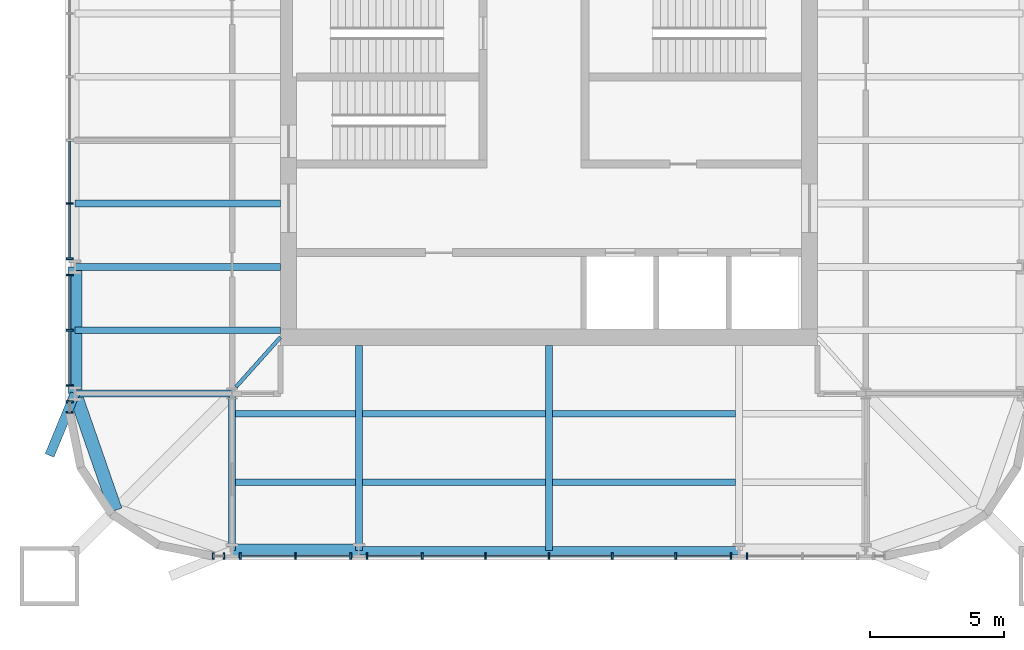
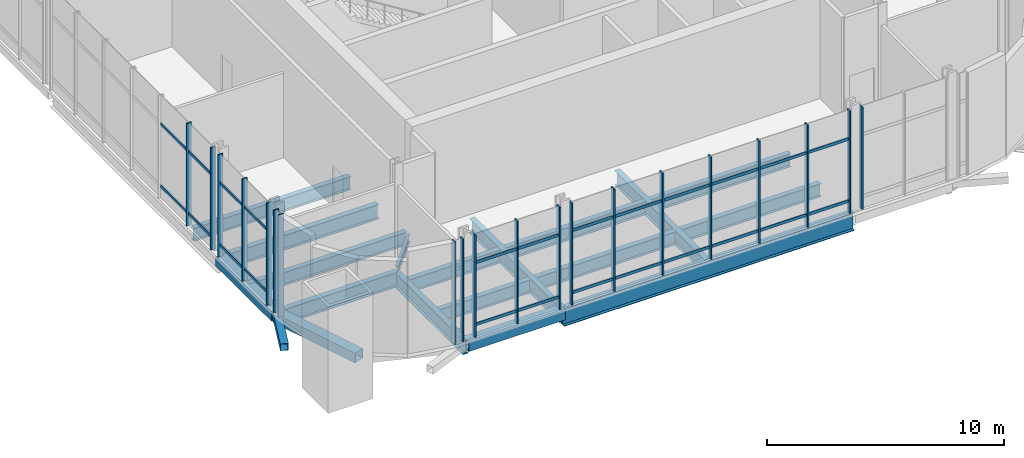
# One storey, part 2 of 17: 44 members, 19 beams, 7 elements without a shape of their own.
"""IFC4 building model written with IfcOpenShell, lengths in metres."""

from ifc_helpers import new_model, si_unit, direction, frame, origin, origin_2d, place, context, subcontext, project, spatial, rectangle, hollow_rectangle, i_section, extrude, material, material_profile, profile_set, type_object, element, aggregate, save


model = new_model("IFC4")

# Units and contexts
model_context = context("Model", 3, precision=1e-05, world=origin(), true_north=direction((0.0, 1.0)))
body_context = subcontext(model_context, "Body", "Model", "MODEL_VIEW")
ifc_project = project(units=[si_unit("LENGTHUNIT", "METRE"), si_unit("AREAUNIT", "SQUARE_METRE"), si_unit("VOLUMEUNIT", "CUBIC_METRE"), si_unit("PLANEANGLEUNIT", "RADIAN"), si_unit("MASSUNIT", "GRAM", prefix="KILO")], contexts=[model_context])

# Site, building, storey
site_placement = place(None, origin())
site = spatial("IfcSite", under=ifc_project, at=site_placement, CompositionType="ELEMENT")
building_placement = place(site_placement, origin())
building = spatial("IfcBuilding", under=site, at=building_placement, Name="Turquesa Mirador Hotel Tower", CompositionType="ELEMENT")
storey_placement = place(building_placement, frame((0.0, 0.0, 266.699951171875)))
storey = spatial("IfcBuildingStorey", under=building, at=storey_placement, Name="L72", CompositionType="ELEMENT", Elevation=266.699951171875)

# Beams
ifc_material_1 = material(Name="Steel ASTM A572 Grade 50", Category="steel")
ifc_material_profile_1 = material_profile(ifc_material_1, hollow_rectangle(XDim=0.5, YDim=0.5, WallThickness=0.01611328125, at=origin_2d()), Name="BOX500X500X16")
ifc_profile_set_1 = profile_set([ifc_material_profile_1], Name="Steel ASTM A572 Grade 50")
beam_type_1 = type_object("IfcBeamType", Name="BEAM BOX500X500X16", PredefinedType="BEAM", material=ifc_profile_set_1)
for number, where, z_axis, x_axis, name in (
    (1, (43.199951171875, 27.35009765625, -0.419921875), (1.0, 0.0, 0.0), (0.0, 1.0, 0.0), "EB-L72-S-L"),
    (2, (37.35009765625, 33.199951171875, -0.419921875), (0.0, 1.0, 0.0), (-1.0, 0.0, 0.0), "EB-L72-W-L"),
):
    element("IfcBeam", number, at=place(storey_placement, frame(where, z_axis=z_axis, x_axis=x_axis)), inside=storey, type_object=beam_type_1, Name=name, PredefinedType="BEAM", context=body_context, shape_type="SweptSolid", body=[
        extrude(hollow_rectangle(XDim=0.5, YDim=0.5, WallThickness=0.01611328125, at=origin_2d()), origin(), (0.0, 0.0, 1.0), 4.719970703125),
    ])
beam_1_placement = place(storey_placement, frame((37.35009765625, 33.199951171875, -0.419921875), z_axis=(0.328170356092, -0.944618556552, 0.0), x_axis=(0.944618556552, 0.328170356092, 0.0)))
element("IfcBeam", 3, at=beam_1_placement, inside=storey, type_object=beam_type_1, Name="KE-L72-3-0", PredefinedType="BEAM", context=body_context, shape_type="SweptSolid", body=[
    extrude(hollow_rectangle(XDim=0.5, YDim=0.5, WallThickness=0.01611328125, at=origin_2d()), origin(), (0.0, 0.0, 1.0), 4.59619140625),
])
ifc_material_2 = material(Name="Steel ASTM A992 Grade 50", Category="steel")
ifc_material_profile_2 = material_profile(ifc_material_2, i_section(OverallWidth=0.140380859375, OverallDepth=0.40380859375, WebThickness=0.007080078125, FlangeThickness=0.01123046875, at=origin_2d()), Name="W16X31")
ifc_profile_set_2 = profile_set([ifc_material_profile_2], Name="Steel ASTM A992 Grade 50")
beam_type_2 = type_object("IfcBeamType", Name="BEAM W16X31", PredefinedType="BEAM", material=ifc_profile_set_2)
beam_2_placement = place(storey_placement, frame((43.343505859375, 33.44873046875, -0.371826171875), z_axis=(0.666806350186, 0.745231032198, 0.0), x_axis=(-0.745231032198, 0.666806350186, 0.0)))
element("IfcBeam", 4, at=beam_2_placement, inside=storey, type_object=beam_type_2, Name="KT-L72-3", PredefinedType="BEAM", context=body_context, shape_type="SweptSolid", body=[
    extrude(i_section(OverallWidth=0.140380859375, OverallDepth=0.40380859375, WebThickness=0.007080078125, FlangeThickness=0.01123046875, at=origin_2d()), origin(), (0.0, 0.0, 1.0), 2.484130859375),
])
ifc_material_3 = material(Name="Steel ASTM A992 Grade 50", Category="steel")
ifc_material_profile_3 = material_profile(ifc_material_3, i_section(OverallWidth=0.25390625, OverallDepth=0.683349609375, WebThickness=0.012451171875, FlangeThickness=0.018798828125, at=origin_2d()), Name="W27X94")
ifc_profile_set_3 = profile_set([ifc_material_profile_3], Name="Steel ASTM A992 Grade 50")
beam_type_3 = type_object("IfcBeamType", Name="BEAM W27X94", PredefinedType="BEAM", material=ifc_profile_set_3)
beam_3_placement = place(storey_placement, frame((43.333251953125, 32.449951171875, -0.511474609375), z_axis=(1.0, 0.0, 0.0), x_axis=(0.0, 1.0, 0.0)))
element("IfcBeam", 5, at=beam_3_placement, inside=storey, type_object=beam_type_3, Name="IB-L72-S-1-0", PredefinedType="BEAM", context=body_context, shape_type="SweptSolid", body=[
    extrude(i_section(OverallWidth=0.25390625, OverallDepth=0.683349609375, WebThickness=0.012451171875, FlangeThickness=0.018798828125, at=origin_2d()), origin(), (0.0, 0.0, 1.0), 4.453369140625),
])
for number, where, z_axis, x_axis, name in (
    (6, (48.053466796875, 32.449951171875, -0.511474609375), (1.0, 0.0, 0.0), (0.0, 1.0, 0.0), "IB-L72-S-1-1"),
    (7, (55.13330078125, 32.449951171875, -0.511474609375), (1.0, 0.0, 0.0), (0.0, 1.0, 0.0), "IB-L72-S-1-2"),
):
    element("IfcBeam", number, at=place(storey_placement, frame(where, z_axis=z_axis, x_axis=x_axis)), inside=storey, type_object=beam_type_3, Name=name, PredefinedType="BEAM", context=body_context, shape_type="SweptSolid", body=[
        extrude(i_section(OverallWidth=0.25390625, OverallDepth=0.683349609375, WebThickness=0.012451171875, FlangeThickness=0.018798828125, at=origin_2d()), origin(), (0.0, 0.0, 1.0), 6.813232421875),
    ])
beam_4_placement = place(storey_placement, frame((43.333251953125, 29.89990234375, -0.511474609375), z_axis=(1.0, 0.0, 0.0), x_axis=(0.0, 1.0, 0.0)))
element("IfcBeam", 8, at=beam_4_placement, inside=storey, type_object=beam_type_3, Name="IB-L72-S-2-0", PredefinedType="BEAM", context=body_context, shape_type="SweptSolid", body=[
    extrude(i_section(OverallWidth=0.25390625, OverallDepth=0.683349609375, WebThickness=0.012451171875, FlangeThickness=0.018798828125, at=origin_2d()), origin(), (0.0, 0.0, 1.0), 4.453369140625),
])
for number, where, z_axis, x_axis, name in (
    (9, (48.053466796875, 29.89990234375, -0.511474609375), (1.0, 0.0, 0.0), (0.0, 1.0, 0.0), "IB-L72-S-2-1"),
    (10, (55.13330078125, 29.89990234375, -0.511474609375), (1.0, 0.0, 0.0), (0.0, 1.0, 0.0), "IB-L72-S-2-2"),
):
    element("IfcBeam", number, at=place(storey_placement, frame(where, z_axis=z_axis, x_axis=x_axis)), inside=storey, type_object=beam_type_3, Name=name, PredefinedType="BEAM", context=body_context, shape_type="SweptSolid", body=[
        extrude(i_section(OverallWidth=0.25390625, OverallDepth=0.683349609375, WebThickness=0.012451171875, FlangeThickness=0.018798828125, at=origin_2d()), origin(), (0.0, 0.0, 1.0), 6.813232421875),
    ])
for number, where, z_axis, x_axis, name in (
    (11, (37.35009765625, 35.56005859375, -0.511474609375), (1.0, 0.0, 0.0), (0.0, 1.0, 0.0), "BM-L72-W--9.44"),
    (12, (37.35009765625, 40.280029296875, -0.511474609375), (1.0, 0.0, 0.0), (0.0, 1.0, 0.0), "BM-L72-W--4.72"),
):
    element("IfcBeam", number, at=place(storey_placement, frame(where, z_axis=z_axis, x_axis=x_axis)), inside=storey, type_object=beam_type_3, Name=name, PredefinedType="BEAM", context=body_context, shape_type="SweptSolid", body=[
        extrude(i_section(OverallWidth=0.25390625, OverallDepth=0.683349609375, WebThickness=0.012451171875, FlangeThickness=0.018798828125, at=origin_2d()), origin(), (0.0, 0.0, 1.0), 7.64990234375),
    ])
ifc_material_4 = material(Name="Steel ASTM A992 Grade 50", Category="steel")
ifc_material_profile_4 = material_profile(ifc_material_4, i_section(OverallWidth=0.2666015625, OverallDepth=0.761962890625, WebThickness=0.014404296875, FlangeThickness=0.021484375, at=origin_2d()), Name="W30X116")
ifc_profile_set_4 = profile_set([ifc_material_profile_4], Name="Steel ASTM A992 Grade 50")
beam_type_4 = type_object("IfcBeamType", Name="BEAM W30X116", PredefinedType="BEAM", material=ifc_profile_set_4)
for number, where, z_axis, x_axis, name in (
    (13, (47.919921875, 27.35009765625, -0.551025390625), (0.0, 1.0, 0.0), (-1.0, 0.0, 0.0), "GD-L72-S--7.08"),
    (14, (55.0, 27.35009765625, -0.551025390625), (0.0, 1.0, 0.0), (-1.0, 0.0, 0.0), "GD-L72-S-+0.00"),
):
    element("IfcBeam", number, at=place(storey_placement, frame(where, z_axis=z_axis, x_axis=x_axis)), inside=storey, type_object=beam_type_4, Name=name, PredefinedType="BEAM", context=body_context, shape_type="SweptSolid", body=[
        extrude(i_section(OverallWidth=0.2666015625, OverallDepth=0.761962890625, WebThickness=0.014404296875, FlangeThickness=0.021484375, at=origin_2d()), origin(), (0.0, 0.0, 1.0), 7.64990234375),
    ])
beam_5_placement = place(storey_placement, frame((43.199951171875, 27.35009765625, -0.551025390625), z_axis=(0.0, 1.0, 0.0), x_axis=(-1.0, 0.0, 0.0)))
element("IfcBeam", 15, at=beam_5_placement, inside=storey, type_object=beam_type_4, Name="GK-L72-S--11.80", PredefinedType="BEAM", context=body_context, shape_type="SweptSolid", body=[
    extrude(i_section(OverallWidth=0.2666015625, OverallDepth=0.761962890625, WebThickness=0.014404296875, FlangeThickness=0.021484375, at=origin_2d()), origin(), (0.0, 0.0, 1.0), 5.849853515625),
])
beam_6_placement = place(storey_placement, frame((37.35009765625, 37.919921875, -0.551025390625), z_axis=(1.0, 0.0, 0.0), x_axis=(0.0, 1.0, 0.0)))
element("IfcBeam", 16, at=beam_6_placement, inside=storey, type_object=beam_type_4, Name="GD-L72-W--7.08", PredefinedType="BEAM", context=body_context, shape_type="SweptSolid", body=[
    extrude(i_section(OverallWidth=0.2666015625, OverallDepth=0.761962890625, WebThickness=0.014404296875, FlangeThickness=0.021484375, at=origin_2d()), origin(), (0.0, 0.0, 1.0), 7.64990234375),
])
beam_7_placement = place(storey_placement, frame((37.35009765625, 33.199951171875, -0.551025390625), z_axis=(1.0, 0.0, 0.0), x_axis=(0.0, 1.0, 0.0)))
element("IfcBeam", 17, at=beam_7_placement, inside=storey, type_object=beam_type_4, Name="GK-L72-W--11.80", PredefinedType="BEAM", context=body_context, shape_type="SweptSolid", body=[
    extrude(i_section(OverallWidth=0.2666015625, OverallDepth=0.761962890625, WebThickness=0.014404296875, FlangeThickness=0.021484375, at=origin_2d()), origin(), (0.0, 0.0, 1.0), 5.849853515625),
])
ifc_material_5 = material(Name="Steel ASTM A992 Grade 50", Category="steel")
ifc_material_profile_5 = material_profile(ifc_material_5, i_section(OverallWidth=0.3046875, OverallDepth=0.911865234375, WebThickness=0.015869140625, FlangeThickness=0.02392578125, at=origin_2d()), Name="W36X150")
ifc_profile_set_5 = profile_set([ifc_material_profile_5], Name="Steel ASTM A992 Grade 50")
beam_type_5 = type_object("IfcBeamType", Name="BEAM W36X150", PredefinedType="BEAM", material=ifc_profile_set_5)
beam_8_placement = place(storey_placement, frame((47.919921875, 27.35009765625, -0.6259765625), z_axis=(1.0, 0.0, 0.0), x_axis=(0.0, 1.0, 0.0)))
element("IfcBeam", 18, at=beam_8_placement, inside=storey, type_object=beam_type_5, Name="EB-L72-S-C", PredefinedType="BEAM", context=body_context, shape_type="SweptSolid", body=[
    extrude(i_section(OverallWidth=0.3046875, OverallDepth=0.911865234375, WebThickness=0.015869140625, FlangeThickness=0.02392578125, at=origin_2d()), origin(), (0.0, 0.0, 1.0), 14.16015625),
])
ifc_material_6 = material(Name="Steel ASTM A500 Grade C", Category="steel")
ifc_material_profile_6 = material_profile(ifc_material_6, hollow_rectangle(XDim=0.355712890625, YDim=0.355712890625, WallThickness=0.0146484375, at=origin_2d()), Name="HSS14X14X5/8")
ifc_profile_set_6 = profile_set([ifc_material_profile_6], Name="Steel ASTM A500 Grade C")
beam_type_6 = type_object("IfcBeamType", Name="BRACE STRUT HSS14X14X5/8", PredefinedType="BEAM", material=ifc_profile_set_6)
beam_9_placement = place(storey_placement, frame((36.39990234375, 30.896728515625, -0.34765625), z_axis=(0.381370698887, 0.924422192524, 0.0), x_axis=(-0.924422192524, 0.381370698887, 0.0)))
element("IfcBeam", 19, at=beam_9_placement, inside=storey, type_object=beam_type_6, Name="Brace strut", PredefinedType="BEAM", context=body_context, shape_type="SweptSolid", body=[
    extrude(hollow_rectangle(XDim=0.355712890625, YDim=0.355712890625, WallThickness=0.0146484375, at=origin_2d()), origin(), (0.0, 0.0, 1.0), 2.491455078125),
])

# Curtain wall, members
ifc_material_7 = material(Name="Aluminium extrusion", Category="aluminium")
curtain_wall_type = type_object("IfcCurtainWallType", Name="CW-6 OBSERVATION CURTAIN WALL", PredefinedType="USERDEFINED", material=ifc_material_7)
curtain_wall_1_placement = place(storey_placement, origin())
curtain_wall_1 = element("IfcCurtainWall", 20, at=curtain_wall_1_placement, inside=storey, type_object=curtain_wall_type, Name="CW-6 OBSERVATION CURTAIN WALL L72", ObjectType="CURTAIN WALL", PredefinedType="USERDEFINED")
ifc_material_8 = material(Name="Aluminium extrusion", Category="aluminium")
ifc_material_profile_7 = material_profile(ifc_material_8, rectangle(XDim=0.06494140625, YDim=0.25, at=origin_2d()), Name="MULLION 65X250")
ifc_profile_set_7 = profile_set([ifc_material_profile_7], Name="Aluminium extrusion")
member_type_1 = type_object("IfcMemberType", Name="CW MULLION 65X250", PredefinedType="MULLION", material=ifc_profile_set_7)
member_1_placement = place(storey_placement, frame((37.14990234375, 40.280029296875, 0.0), z_axis=(0.0, 0.0, 1.0), x_axis=(0.0, -1.0, 0.0)))
member_1 = element("IfcMember", 21, at=member_1_placement, type_object=member_type_1, Name="Mullion", PredefinedType="MULLION", context=body_context, shape_type="SweptSolid", body=[
    extrude(rectangle(XDim=0.06494140625, YDim=0.25, at=origin_2d()), origin(), (0.0, 0.0, 1.0), 5.280029296875),
])
member_2_placement = place(storey_placement, frame((37.14990234375, 38.219970703125, 0.0), z_axis=(0.0, 0.0, 1.0), x_axis=(0.0, -1.0, 0.0)))
member_2 = element("IfcMember", 22, at=member_2_placement, type_object=member_type_1, Name="Mullion", PredefinedType="MULLION", context=body_context, shape_type="SweptSolid", body=[
    extrude(rectangle(XDim=0.06494140625, YDim=0.25, at=origin_2d()), origin(), (0.0, 0.0, 1.0), 5.280029296875),
])

curtain_wall_2_placement = place(storey_placement, origin())
curtain_wall_2 = element("IfcCurtainWall", 23, at=curtain_wall_2_placement, inside=storey, type_object=curtain_wall_type, Name="CW-6 OBSERVATION CURTAIN WALL L72", ObjectType="CURTAIN WALL", PredefinedType="USERDEFINED")
member_3_placement = place(storey_placement, frame((37.14990234375, 37.6201171875, 0.0), z_axis=(0.0, 0.0, 1.0), x_axis=(0.0, -1.0, 0.0)))
member_3 = element("IfcMember", 24, at=member_3_placement, type_object=member_type_1, Name="Mullion", PredefinedType="MULLION", context=body_context, shape_type="SweptSolid", body=[
    extrude(rectangle(XDim=0.06494140625, YDim=0.25, at=origin_2d()), origin(), (0.0, 0.0, 1.0), 5.280029296875),
])
member_4_placement = place(storey_placement, frame((37.14990234375, 35.56005859375, 0.0), z_axis=(0.0, 0.0, 1.0), x_axis=(0.0, -1.0, 0.0)))
member_4 = element("IfcMember", 25, at=member_4_placement, type_object=member_type_1, Name="Mullion", PredefinedType="MULLION", context=body_context, shape_type="SweptSolid", body=[
    extrude(rectangle(XDim=0.06494140625, YDim=0.25, at=origin_2d()), origin(), (0.0, 0.0, 1.0), 5.280029296875),
])
member_5_placement = place(storey_placement, frame((37.14990234375, 33.5, 0.0), z_axis=(0.0, 0.0, 1.0), x_axis=(0.0, -1.0, 0.0)))
member_5 = element("IfcMember", 26, at=member_5_placement, type_object=member_type_1, Name="Mullion", PredefinedType="MULLION", context=body_context, shape_type="SweptSolid", body=[
    extrude(rectangle(XDim=0.06494140625, YDim=0.25, at=origin_2d()), origin(), (0.0, 0.0, 1.0), 5.280029296875),
])

curtain_wall_3_placement = place(storey_placement, origin())
curtain_wall_3 = element("IfcCurtainWall", 27, at=curtain_wall_3_placement, inside=storey, type_object=curtain_wall_type, Name="CW-6 OBSERVATION CURTAIN WALL L72", ObjectType="CURTAIN WALL", PredefinedType="USERDEFINED")
member_6_placement = place(storey_placement, frame((37.14990234375, 32.900146484375, 0.0), z_axis=(0.0, 0.0, 1.0), x_axis=(0.0, -1.0, 0.0)))
member_6 = element("IfcMember", 28, at=member_6_placement, type_object=member_type_1, Name="Mullion", PredefinedType="MULLION", context=body_context, shape_type="SweptSolid", body=[
    extrude(rectangle(XDim=0.06494140625, YDim=0.25, at=origin_2d()), origin(), (0.0, 0.0, 1.0), 5.280029296875),
])
member_7_placement = place(storey_placement, frame((37.14990234375, 32.5, 0.0), z_axis=(0.0, 0.0, 1.0), x_axis=(0.0, -1.0, 0.0)))
member_7 = element("IfcMember", 29, at=member_7_placement, type_object=member_type_1, Name="Mullion", PredefinedType="MULLION", context=body_context, shape_type="SweptSolid", body=[
    extrude(rectangle(XDim=0.06494140625, YDim=0.25, at=origin_2d()), origin(), (0.0, 0.0, 1.0), 5.280029296875),
])
aggregate(curtain_wall_3, [member_6, member_7])

curtain_wall_4_placement = place(storey_placement, origin())
curtain_wall_4 = element("IfcCurtainWall", 30, at=curtain_wall_4_placement, inside=storey, type_object=curtain_wall_type, Name="CW-6 OBSERVATION CURTAIN WALL L72", ObjectType="CURTAIN WALL", PredefinedType="USERDEFINED")
member_8_placement = place(storey_placement, frame((42.5, 27.14990234375, 0.0), z_axis=(0.0, 0.0, 1.0), x_axis=(1.0, 0.0, 0.0)))
member_8 = element("IfcMember", 31, at=member_8_placement, type_object=member_type_1, Name="Mullion", PredefinedType="MULLION", context=body_context, shape_type="SweptSolid", body=[
    extrude(rectangle(XDim=0.06494140625, YDim=0.25, at=origin_2d()), origin(), (0.0, 0.0, 1.0), 5.280029296875),
])
member_9_placement = place(storey_placement, frame((42.900146484375, 27.14990234375, 0.0), z_axis=(0.0, 0.0, 1.0), x_axis=(1.0, 0.0, 0.0)))
member_9 = element("IfcMember", 32, at=member_9_placement, type_object=member_type_1, Name="Mullion", PredefinedType="MULLION", context=body_context, shape_type="SweptSolid", body=[
    extrude(rectangle(XDim=0.06494140625, YDim=0.25, at=origin_2d()), origin(), (0.0, 0.0, 1.0), 5.280029296875),
])
aggregate(curtain_wall_4, [member_8, member_9])

curtain_wall_5_placement = place(storey_placement, origin())
curtain_wall_5 = element("IfcCurtainWall", 33, at=curtain_wall_5_placement, inside=storey, type_object=curtain_wall_type, Name="CW-6 OBSERVATION CURTAIN WALL L72", ObjectType="CURTAIN WALL", PredefinedType="USERDEFINED")
member_10_placement = place(storey_placement, frame((43.5, 27.14990234375, 0.0), z_axis=(0.0, 0.0, 1.0), x_axis=(1.0, 0.0, 0.0)))
member_10 = element("IfcMember", 34, at=member_10_placement, type_object=member_type_1, Name="Mullion", PredefinedType="MULLION", context=body_context, shape_type="SweptSolid", body=[
    extrude(rectangle(XDim=0.06494140625, YDim=0.25, at=origin_2d()), origin(), (0.0, 0.0, 1.0), 5.280029296875),
])
member_11_placement = place(storey_placement, frame((45.56005859375, 27.14990234375, 0.0), z_axis=(0.0, 0.0, 1.0), x_axis=(1.0, 0.0, 0.0)))
member_11 = element("IfcMember", 35, at=member_11_placement, type_object=member_type_1, Name="Mullion", PredefinedType="MULLION", context=body_context, shape_type="SweptSolid", body=[
    extrude(rectangle(XDim=0.06494140625, YDim=0.25, at=origin_2d()), origin(), (0.0, 0.0, 1.0), 5.280029296875),
])
member_12_placement = place(storey_placement, frame((47.6201171875, 27.14990234375, 0.0), z_axis=(0.0, 0.0, 1.0), x_axis=(1.0, 0.0, 0.0)))
member_12 = element("IfcMember", 36, at=member_12_placement, type_object=member_type_1, Name="Mullion", PredefinedType="MULLION", context=body_context, shape_type="SweptSolid", body=[
    extrude(rectangle(XDim=0.06494140625, YDim=0.25, at=origin_2d()), origin(), (0.0, 0.0, 1.0), 5.280029296875),
])

curtain_wall_6_placement = place(storey_placement, origin())
curtain_wall_6 = element("IfcCurtainWall", 37, at=curtain_wall_6_placement, inside=storey, type_object=curtain_wall_type, Name="CW-6 OBSERVATION CURTAIN WALL L72", ObjectType="CURTAIN WALL", PredefinedType="USERDEFINED")
member_13_placement = place(storey_placement, frame((48.219970703125, 27.14990234375, 0.0), z_axis=(0.0, 0.0, 1.0), x_axis=(1.0, 0.0, 0.0)))
member_13 = element("IfcMember", 38, at=member_13_placement, type_object=member_type_1, Name="Mullion", PredefinedType="MULLION", context=body_context, shape_type="SweptSolid", body=[
    extrude(rectangle(XDim=0.06494140625, YDim=0.25, at=origin_2d()), origin(), (0.0, 0.0, 1.0), 5.280029296875),
])
member_14_placement = place(storey_placement, frame((50.280029296875, 27.14990234375, 0.0), z_axis=(0.0, 0.0, 1.0), x_axis=(1.0, 0.0, 0.0)))
member_14 = element("IfcMember", 39, at=member_14_placement, type_object=member_type_1, Name="Mullion", PredefinedType="MULLION", context=body_context, shape_type="SweptSolid", body=[
    extrude(rectangle(XDim=0.06494140625, YDim=0.25, at=origin_2d()), origin(), (0.0, 0.0, 1.0), 5.280029296875),
])
member_15_placement = place(storey_placement, frame((52.639892578125, 27.14990234375, 0.0), z_axis=(0.0, 0.0, 1.0), x_axis=(1.0, 0.0, 0.0)))
member_15 = element("IfcMember", 40, at=member_15_placement, type_object=member_type_1, Name="Mullion", PredefinedType="MULLION", context=body_context, shape_type="SweptSolid", body=[
    extrude(rectangle(XDim=0.06494140625, YDim=0.25, at=origin_2d()), origin(), (0.0, 0.0, 1.0), 5.280029296875),
])
member_16_placement = place(storey_placement, frame((55.0, 27.14990234375, 0.0), z_axis=(0.0, 0.0, 1.0), x_axis=(1.0, 0.0, 0.0)))
member_16 = element("IfcMember", 41, at=member_16_placement, type_object=member_type_1, Name="Mullion", PredefinedType="MULLION", context=body_context, shape_type="SweptSolid", body=[
    extrude(rectangle(XDim=0.06494140625, YDim=0.25, at=origin_2d()), origin(), (0.0, 0.0, 1.0), 5.280029296875),
])
member_17_placement = place(storey_placement, frame((57.360107421875, 27.14990234375, 0.0), z_axis=(0.0, 0.0, 1.0), x_axis=(1.0, 0.0, 0.0)))
member_17 = element("IfcMember", 42, at=member_17_placement, type_object=member_type_1, Name="Mullion", PredefinedType="MULLION", context=body_context, shape_type="SweptSolid", body=[
    extrude(rectangle(XDim=0.06494140625, YDim=0.25, at=origin_2d()), origin(), (0.0, 0.0, 1.0), 5.280029296875),
])
member_18_placement = place(storey_placement, frame((59.719970703125, 27.14990234375, 0.0), z_axis=(0.0, 0.0, 1.0), x_axis=(1.0, 0.0, 0.0)))
member_18 = element("IfcMember", 43, at=member_18_placement, type_object=member_type_1, Name="Mullion", PredefinedType="MULLION", context=body_context, shape_type="SweptSolid", body=[
    extrude(rectangle(XDim=0.06494140625, YDim=0.25, at=origin_2d()), origin(), (0.0, 0.0, 1.0), 5.280029296875),
])
member_19_placement = place(storey_placement, frame((61.780029296875, 27.14990234375, 0.0), z_axis=(0.0, 0.0, 1.0), x_axis=(1.0, 0.0, 0.0)))
member_19 = element("IfcMember", 44, at=member_19_placement, type_object=member_type_1, Name="Mullion", PredefinedType="MULLION", context=body_context, shape_type="SweptSolid", body=[
    extrude(rectangle(XDim=0.06494140625, YDim=0.25, at=origin_2d()), origin(), (0.0, 0.0, 1.0), 5.280029296875),
])

# Curtain wall, member
curtain_wall_7_placement = place(storey_placement, origin())
curtain_wall_7 = element("IfcCurtainWall", 45, at=curtain_wall_7_placement, inside=storey, type_object=curtain_wall_type, Name="CW-6 OBSERVATION CURTAIN WALL L72", ObjectType="CURTAIN WALL", PredefinedType="USERDEFINED")
member_20_placement = place(storey_placement, frame((62.3798828125, 27.14990234375, 0.0), z_axis=(0.0, 0.0, 1.0), x_axis=(1.0, 0.0, 0.0)))
member_20 = element("IfcMember", 46, at=member_20_placement, type_object=member_type_1, Name="Mullion", PredefinedType="MULLION", context=body_context, shape_type="SweptSolid", body=[
    extrude(rectangle(XDim=0.06494140625, YDim=0.25, at=origin_2d()), origin(), (0.0, 0.0, 1.0), 5.280029296875),
])
aggregate(curtain_wall_7, [member_20])

# Member
ifc_material_9 = material(Name="Aluminium extrusion", Category="aluminium")
ifc_material_profile_8 = material_profile(ifc_material_9, rectangle(XDim=0.06494140625, YDim=0.14990234375, at=origin_2d()), Name="TRANSOM 65X150")
ifc_profile_set_8 = profile_set([ifc_material_profile_8], Name="Aluminium extrusion")
member_type_2 = type_object("IfcMemberType", Name="CW TRANSOM 65X150", PredefinedType="USERDEFINED", material=ifc_profile_set_8)
member_21_placement = place(storey_placement, frame((37.14990234375, 42.607421875, 0.60009765625), z_axis=(0.0, -1.0, 0.0), x_axis=(1.0, 0.0, 0.0)))
member_21 = element("IfcMember", 47, at=member_21_placement, type_object=member_type_2, Name="Transom", ObjectType="TRANSOM", PredefinedType="USERDEFINED", context=body_context, shape_type="SweptSolid", body=[
    extrude(rectangle(XDim=0.06494140625, YDim=0.14990234375, at=origin_2d()), origin(), (0.0, 0.0, 1.0), 2.294921875),
])

member_22_placement = place(storey_placement, frame((37.14990234375, 42.607421875, 3.800048828125), z_axis=(0.0, -1.0, 0.0), x_axis=(1.0, 0.0, 0.0)))
member_22 = element("IfcMember", 48, at=member_22_placement, type_object=member_type_2, Name="Transom", ObjectType="TRANSOM", PredefinedType="USERDEFINED", context=body_context, shape_type="SweptSolid", body=[
    extrude(rectangle(XDim=0.06494140625, YDim=0.14990234375, at=origin_2d()), origin(), (0.0, 0.0, 1.0), 2.294921875),
])

member_23_placement = place(storey_placement, frame((37.14990234375, 40.24755859375, 0.60009765625), z_axis=(0.0, -1.0, 0.0), x_axis=(1.0, 0.0, 0.0)))
member_23 = element("IfcMember", 49, at=member_23_placement, type_object=member_type_2, Name="Transom", ObjectType="TRANSOM", PredefinedType="USERDEFINED", context=body_context, shape_type="SweptSolid", body=[
    extrude(rectangle(XDim=0.06494140625, YDim=0.14990234375, at=origin_2d()), origin(), (0.0, 0.0, 1.0), 1.9951171875),
])

member_24_placement = place(storey_placement, frame((37.14990234375, 40.24755859375, 3.800048828125), z_axis=(0.0, -1.0, 0.0), x_axis=(1.0, 0.0, 0.0)))
member_24 = element("IfcMember", 50, at=member_24_placement, type_object=member_type_2, Name="Transom", ObjectType="TRANSOM", PredefinedType="USERDEFINED", context=body_context, shape_type="SweptSolid", body=[
    extrude(rectangle(XDim=0.06494140625, YDim=0.14990234375, at=origin_2d()), origin(), (0.0, 0.0, 1.0), 1.9951171875),
])

aggregate(curtain_wall_1, [member_1, member_2, member_21, member_22, member_23, member_24])

member_25_placement = place(storey_placement, frame((37.14990234375, 37.587646484375, 0.60009765625), z_axis=(0.0, -1.0, 0.0), x_axis=(1.0, 0.0, 0.0)))
member_25 = element("IfcMember", 51, at=member_25_placement, type_object=member_type_2, Name="Transom", ObjectType="TRANSOM", PredefinedType="USERDEFINED", context=body_context, shape_type="SweptSolid", body=[
    extrude(rectangle(XDim=0.06494140625, YDim=0.14990234375, at=origin_2d()), origin(), (0.0, 0.0, 1.0), 1.9951171875),
])

member_26_placement = place(storey_placement, frame((37.14990234375, 37.587646484375, 3.800048828125), z_axis=(0.0, -1.0, 0.0), x_axis=(1.0, 0.0, 0.0)))
member_26 = element("IfcMember", 52, at=member_26_placement, type_object=member_type_2, Name="Transom", ObjectType="TRANSOM", PredefinedType="USERDEFINED", context=body_context, shape_type="SweptSolid", body=[
    extrude(rectangle(XDim=0.06494140625, YDim=0.14990234375, at=origin_2d()), origin(), (0.0, 0.0, 1.0), 1.9951171875),
])

member_27_placement = place(storey_placement, frame((37.14990234375, 35.527587890625, 0.60009765625), z_axis=(0.0, -1.0, 0.0), x_axis=(1.0, 0.0, 0.0)))
member_27 = element("IfcMember", 53, at=member_27_placement, type_object=member_type_2, Name="Transom", ObjectType="TRANSOM", PredefinedType="USERDEFINED", context=body_context, shape_type="SweptSolid", body=[
    extrude(rectangle(XDim=0.06494140625, YDim=0.14990234375, at=origin_2d()), origin(), (0.0, 0.0, 1.0), 1.9951171875),
])

member_28_placement = place(storey_placement, frame((37.14990234375, 35.527587890625, 3.800048828125), z_axis=(0.0, -1.0, 0.0), x_axis=(1.0, 0.0, 0.0)))
member_28 = element("IfcMember", 54, at=member_28_placement, type_object=member_type_2, Name="Transom", ObjectType="TRANSOM", PredefinedType="USERDEFINED", context=body_context, shape_type="SweptSolid", body=[
    extrude(rectangle(XDim=0.06494140625, YDim=0.14990234375, at=origin_2d()), origin(), (0.0, 0.0, 1.0), 1.9951171875),
])

aggregate(curtain_wall_2, [member_3, member_4, member_5, member_25, member_26, member_27, member_28])

member_29_placement = place(storey_placement, frame((43.532470703125, 27.14990234375, 0.60009765625), z_axis=(1.0, 0.0, 0.0), x_axis=(0.0, 1.0, 0.0)))
member_29 = element("IfcMember", 55, at=member_29_placement, type_object=member_type_2, Name="Transom", ObjectType="TRANSOM", PredefinedType="USERDEFINED", context=body_context, shape_type="SweptSolid", body=[
    extrude(rectangle(XDim=0.06494140625, YDim=0.14990234375, at=origin_2d()), origin(), (0.0, 0.0, 1.0), 1.9951171875),
])

member_30_placement = place(storey_placement, frame((43.532470703125, 27.14990234375, 3.800048828125), z_axis=(1.0, 0.0, 0.0), x_axis=(0.0, 1.0, 0.0)))
member_30 = element("IfcMember", 56, at=member_30_placement, type_object=member_type_2, Name="Transom", ObjectType="TRANSOM", PredefinedType="USERDEFINED", context=body_context, shape_type="SweptSolid", body=[
    extrude(rectangle(XDim=0.06494140625, YDim=0.14990234375, at=origin_2d()), origin(), (0.0, 0.0, 1.0), 1.9951171875),
])

member_31_placement = place(storey_placement, frame((45.592529296875, 27.14990234375, 0.60009765625), z_axis=(1.0, 0.0, 0.0), x_axis=(0.0, 1.0, 0.0)))
member_31 = element("IfcMember", 57, at=member_31_placement, type_object=member_type_2, Name="Transom", ObjectType="TRANSOM", PredefinedType="USERDEFINED", context=body_context, shape_type="SweptSolid", body=[
    extrude(rectangle(XDim=0.06494140625, YDim=0.14990234375, at=origin_2d()), origin(), (0.0, 0.0, 1.0), 1.9951171875),
])

member_32_placement = place(storey_placement, frame((45.592529296875, 27.14990234375, 3.800048828125), z_axis=(1.0, 0.0, 0.0), x_axis=(0.0, 1.0, 0.0)))
member_32 = element("IfcMember", 58, at=member_32_placement, type_object=member_type_2, Name="Transom", ObjectType="TRANSOM", PredefinedType="USERDEFINED", context=body_context, shape_type="SweptSolid", body=[
    extrude(rectangle(XDim=0.06494140625, YDim=0.14990234375, at=origin_2d()), origin(), (0.0, 0.0, 1.0), 1.9951171875),
])

aggregate(curtain_wall_5, [member_10, member_11, member_12, member_29, member_30, member_31, member_32])

member_33_placement = place(storey_placement, frame((48.25244140625, 27.14990234375, 0.60009765625), z_axis=(1.0, 0.0, 0.0), x_axis=(0.0, 1.0, 0.0)))
member_33 = element("IfcMember", 59, at=member_33_placement, type_object=member_type_2, Name="Transom", ObjectType="TRANSOM", PredefinedType="USERDEFINED", context=body_context, shape_type="SweptSolid", body=[
    extrude(rectangle(XDim=0.06494140625, YDim=0.14990234375, at=origin_2d()), origin(), (0.0, 0.0, 1.0), 1.9951171875),
])

member_34_placement = place(storey_placement, frame((48.25244140625, 27.14990234375, 3.800048828125), z_axis=(1.0, 0.0, 0.0), x_axis=(0.0, 1.0, 0.0)))
member_34 = element("IfcMember", 60, at=member_34_placement, type_object=member_type_2, Name="Transom", ObjectType="TRANSOM", PredefinedType="USERDEFINED", context=body_context, shape_type="SweptSolid", body=[
    extrude(rectangle(XDim=0.06494140625, YDim=0.14990234375, at=origin_2d()), origin(), (0.0, 0.0, 1.0), 1.9951171875),
])

member_35_placement = place(storey_placement, frame((50.3125, 27.14990234375, 0.60009765625), z_axis=(1.0, 0.0, 0.0), x_axis=(0.0, 1.0, 0.0)))
member_35 = element("IfcMember", 61, at=member_35_placement, type_object=member_type_2, Name="Transom", ObjectType="TRANSOM", PredefinedType="USERDEFINED", context=body_context, shape_type="SweptSolid", body=[
    extrude(rectangle(XDim=0.06494140625, YDim=0.14990234375, at=origin_2d()), origin(), (0.0, 0.0, 1.0), 2.294921875),
])

member_36_placement = place(storey_placement, frame((50.3125, 27.14990234375, 3.800048828125), z_axis=(1.0, 0.0, 0.0), x_axis=(0.0, 1.0, 0.0)))
member_36 = element("IfcMember", 62, at=member_36_placement, type_object=member_type_2, Name="Transom", ObjectType="TRANSOM", PredefinedType="USERDEFINED", context=body_context, shape_type="SweptSolid", body=[
    extrude(rectangle(XDim=0.06494140625, YDim=0.14990234375, at=origin_2d()), origin(), (0.0, 0.0, 1.0), 2.294921875),
])

member_37_placement = place(storey_placement, frame((52.672607421875, 27.14990234375, 0.60009765625), z_axis=(1.0, 0.0, 0.0), x_axis=(0.0, 1.0, 0.0)))
member_37 = element("IfcMember", 63, at=member_37_placement, type_object=member_type_2, Name="Transom", ObjectType="TRANSOM", PredefinedType="USERDEFINED", context=body_context, shape_type="SweptSolid", body=[
    extrude(rectangle(XDim=0.06494140625, YDim=0.14990234375, at=origin_2d()), origin(), (0.0, 0.0, 1.0), 2.294921875),
])

member_38_placement = place(storey_placement, frame((52.672607421875, 27.14990234375, 3.800048828125), z_axis=(1.0, 0.0, 0.0), x_axis=(0.0, 1.0, 0.0)))
member_38 = element("IfcMember", 64, at=member_38_placement, type_object=member_type_2, Name="Transom", ObjectType="TRANSOM", PredefinedType="USERDEFINED", context=body_context, shape_type="SweptSolid", body=[
    extrude(rectangle(XDim=0.06494140625, YDim=0.14990234375, at=origin_2d()), origin(), (0.0, 0.0, 1.0), 2.294921875),
])

member_39_placement = place(storey_placement, frame((55.032470703125, 27.14990234375, 0.60009765625), z_axis=(1.0, 0.0, 0.0), x_axis=(0.0, 1.0, 0.0)))
member_39 = element("IfcMember", 65, at=member_39_placement, type_object=member_type_2, Name="Transom", ObjectType="TRANSOM", PredefinedType="USERDEFINED", context=body_context, shape_type="SweptSolid", body=[
    extrude(rectangle(XDim=0.06494140625, YDim=0.14990234375, at=origin_2d()), origin(), (0.0, 0.0, 1.0), 2.294921875),
])

member_40_placement = place(storey_placement, frame((55.032470703125, 27.14990234375, 3.800048828125), z_axis=(1.0, 0.0, 0.0), x_axis=(0.0, 1.0, 0.0)))
member_40 = element("IfcMember", 66, at=member_40_placement, type_object=member_type_2, Name="Transom", ObjectType="TRANSOM", PredefinedType="USERDEFINED", context=body_context, shape_type="SweptSolid", body=[
    extrude(rectangle(XDim=0.06494140625, YDim=0.14990234375, at=origin_2d()), origin(), (0.0, 0.0, 1.0), 2.294921875),
])

member_41_placement = place(storey_placement, frame((57.392578125, 27.14990234375, 0.60009765625), z_axis=(1.0, 0.0, 0.0), x_axis=(0.0, 1.0, 0.0)))
member_41 = element("IfcMember", 67, at=member_41_placement, type_object=member_type_2, Name="Transom", ObjectType="TRANSOM", PredefinedType="USERDEFINED", context=body_context, shape_type="SweptSolid", body=[
    extrude(rectangle(XDim=0.06494140625, YDim=0.14990234375, at=origin_2d()), origin(), (0.0, 0.0, 1.0), 2.294921875),
])

member_42_placement = place(storey_placement, frame((57.392578125, 27.14990234375, 3.800048828125), z_axis=(1.0, 0.0, 0.0), x_axis=(0.0, 1.0, 0.0)))
member_42 = element("IfcMember", 68, at=member_42_placement, type_object=member_type_2, Name="Transom", ObjectType="TRANSOM", PredefinedType="USERDEFINED", context=body_context, shape_type="SweptSolid", body=[
    extrude(rectangle(XDim=0.06494140625, YDim=0.14990234375, at=origin_2d()), origin(), (0.0, 0.0, 1.0), 2.294921875),
])

member_43_placement = place(storey_placement, frame((59.75244140625, 27.14990234375, 0.60009765625), z_axis=(1.0, 0.0, 0.0), x_axis=(0.0, 1.0, 0.0)))
member_43 = element("IfcMember", 69, at=member_43_placement, type_object=member_type_2, Name="Transom", ObjectType="TRANSOM", PredefinedType="USERDEFINED", context=body_context, shape_type="SweptSolid", body=[
    extrude(rectangle(XDim=0.06494140625, YDim=0.14990234375, at=origin_2d()), origin(), (0.0, 0.0, 1.0), 1.9951171875),
])

member_44_placement = place(storey_placement, frame((59.75244140625, 27.14990234375, 3.800048828125), z_axis=(1.0, 0.0, 0.0), x_axis=(0.0, 1.0, 0.0)))
member_44 = element("IfcMember", 70, at=member_44_placement, type_object=member_type_2, Name="Transom", ObjectType="TRANSOM", PredefinedType="USERDEFINED", context=body_context, shape_type="SweptSolid", body=[
    extrude(rectangle(XDim=0.06494140625, YDim=0.14990234375, at=origin_2d()), origin(), (0.0, 0.0, 1.0), 1.9951171875),
])

aggregate(curtain_wall_6, [member_13, member_14, member_15, member_16, member_17, member_18, member_19, member_33, member_34, member_35, member_36, member_37, member_38, member_39, member_40, member_41, member_42, member_43, member_44])

save(model, "model.ifc")
